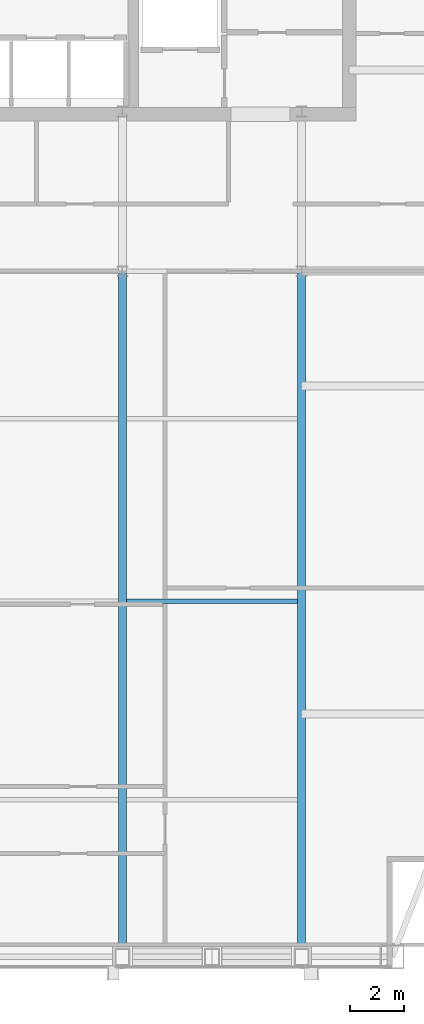
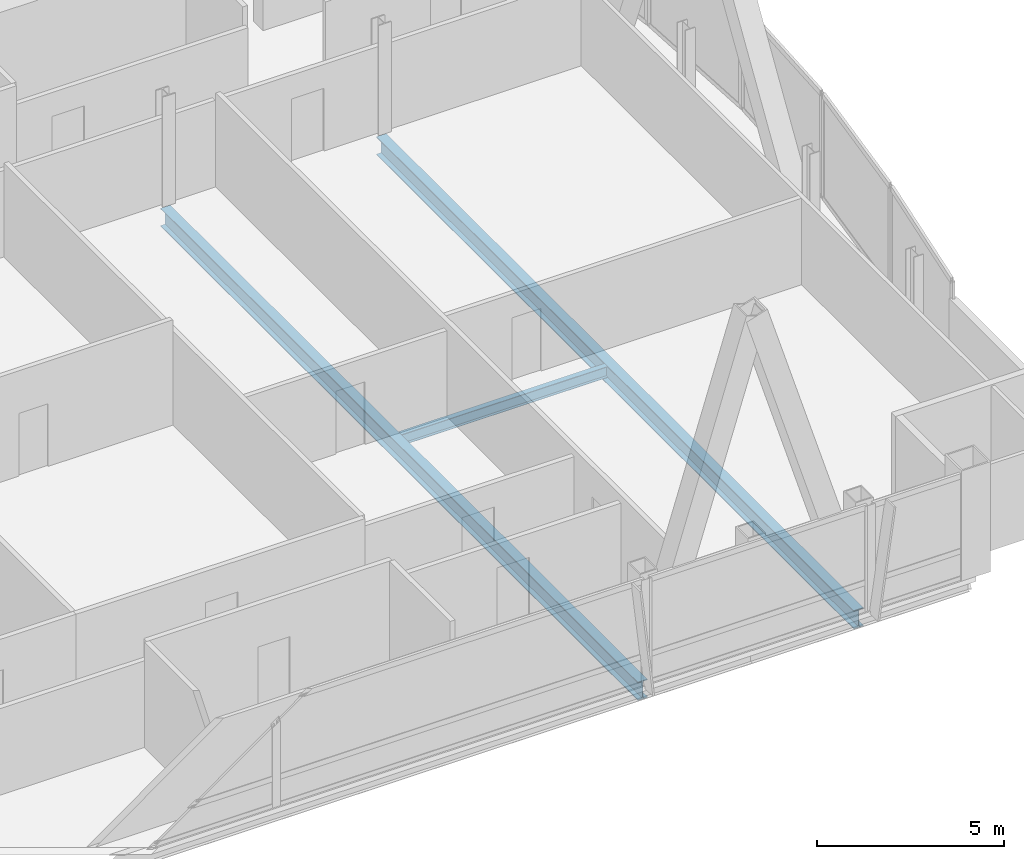
# One storey, part 14 of 29: 3 beams.
"""IFC4 building model written with IfcOpenShell, lengths in metres."""

from ifc_helpers import new_model, si_unit, direction, frame, origin, origin_2d, place, context, subcontext, project, spatial, i_section, extrude, material, material_profile, profile_set, type_object, element, save


model = new_model("IFC4")

# Units and contexts
model_context = context("Model", 3, precision=1e-05, world=origin(), true_north=direction((0.0, 1.0)))
body_context = subcontext(model_context, "Body", "Model", "MODEL_VIEW")
ifc_project = project(units=[si_unit("LENGTHUNIT", "METRE"), si_unit("AREAUNIT", "SQUARE_METRE"), si_unit("VOLUMEUNIT", "CUBIC_METRE"), si_unit("PLANEANGLEUNIT", "RADIAN"), si_unit("MASSUNIT", "GRAM", prefix="KILO")], contexts=[model_context])

# Site, building, storey
site_placement = place(None, origin())
site = spatial("IfcSite", under=ifc_project, at=site_placement, CompositionType="ELEMENT")
building_placement = place(site_placement, origin())
building = spatial("IfcBuilding", under=site, at=building_placement, Name="Khoronbel Lancet Exchange", CompositionType="ELEMENT")
storey_placement = place(building_placement, frame((0.0, 0.0, 336.199951171875)))
storey = spatial("IfcBuildingStorey", under=building, at=storey_placement, Name="L87", CompositionType="ELEMENT", Elevation=336.199951171875)

# Beams
ifc_material = material(Name="Steel S355", Category="steel")
ifc_material_profile_1 = material_profile(ifc_material, i_section(OverallWidth=0.300048828125, OverallDepth=0.60009765625, WebThickness=0.015380859375, FlangeThickness=0.030029296875, at=origin_2d()), Name="HEB 600")
ifc_profile_set_1 = profile_set([ifc_material_profile_1], Name="Steel S355")
beam_type_1 = type_object("IfcBeamType", Name="BM-BG5", PredefinedType="BEAM", material=ifc_profile_set_1)
for number, where, z_axis, x_axis, name in (
    (1, (48.0, 10.14990234375, -0.4599609375), (0.0, 1.0, 0.0), (-1.0, 0.0, 0.0), "Level L87 south primary girder GS5"),
    (2, (54.675048828125, 10.14990234375, -0.4599609375), (0.0, 1.0, 0.0), (-1.0, 0.0, 0.0), "Level L87 south primary girder GS6"),
):
    element("IfcBeam", number, at=place(storey_placement, frame(where, z_axis=z_axis, x_axis=x_axis)), inside=storey, type_object=beam_type_1, Name=name, PredefinedType="BEAM", context=body_context, shape_type="SweptSolid", body=[
        extrude(i_section(OverallWidth=0.300048828125, OverallDepth=0.60009765625, WebThickness=0.015380859375, FlangeThickness=0.030029296875, at=origin_2d()), origin(), (0.0, 0.0, 1.0), 25.550048828125),
    ])
ifc_material_profile_2 = material_profile(ifc_material, i_section(OverallWidth=0.169921875, OverallDepth=0.360107421875, WebThickness=0.008056640625, FlangeThickness=0.0126953125, at=origin_2d()), Name="IPE 360")
ifc_profile_set_2 = profile_set([ifc_material_profile_2], Name="Steel S355")
beam_type_2 = type_object("IfcBeamType", Name="BM-BJ6", PredefinedType="JOIST", material=ifc_profile_set_2)
beam_placement = place(storey_placement, frame((48.14990234375, 23.39990234375, -0.33984375), z_axis=(1.0, 0.0, 0.0), x_axis=(0.0, 1.0, 0.0)))
element("IfcBeam", 3, at=beam_placement, inside=storey, type_object=beam_type_2, Name="Level L87 secondary composite joist J06", PredefinedType="JOIST", context=body_context, shape_type="SweptSolid", body=[
    extrude(i_section(OverallWidth=0.169921875, OverallDepth=0.360107421875, WebThickness=0.008056640625, FlangeThickness=0.0126953125, at=origin_2d()), origin(), (0.0, 0.0, 1.0), 6.375),
])

save(model, "model.ifc")
